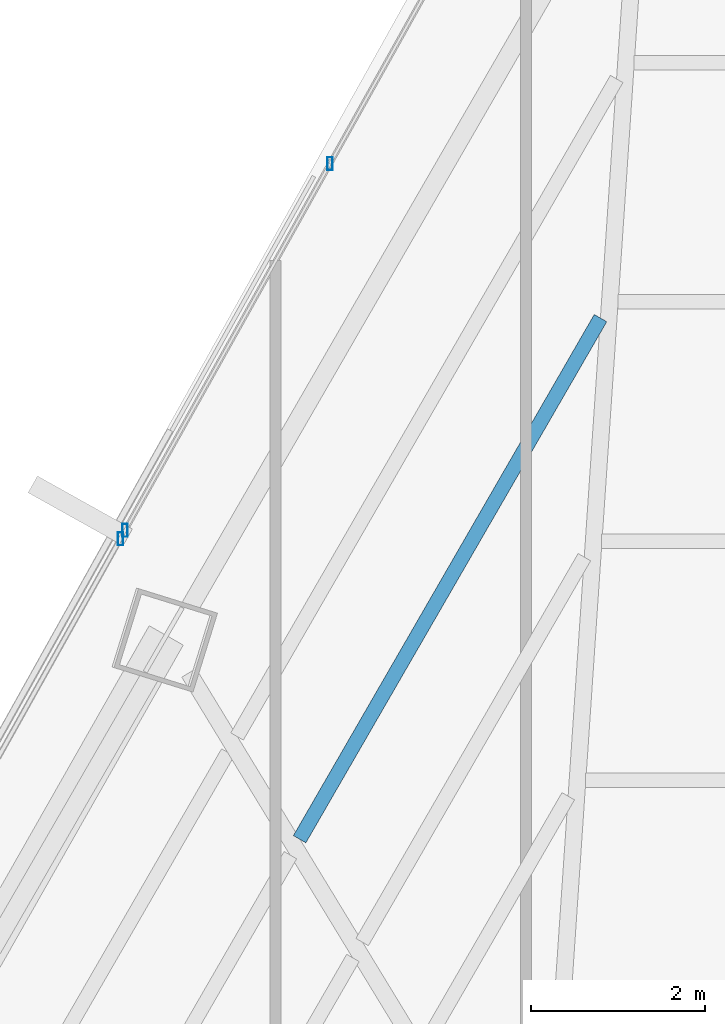
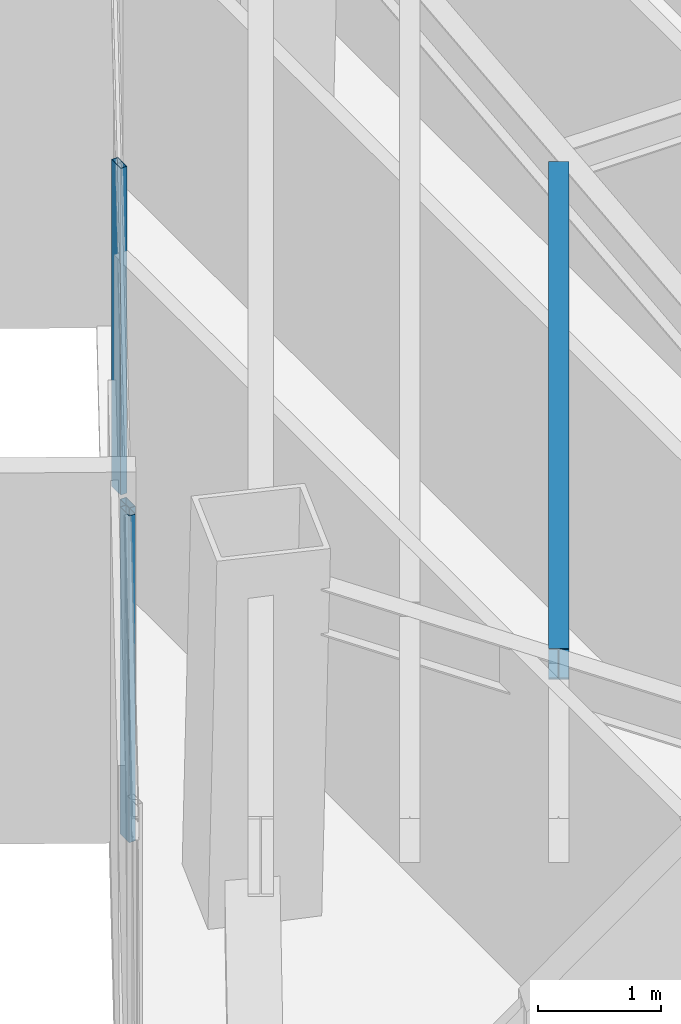
# One storey, part 26 of 40: 3 members, 1 beam, 2 elements without a shape of their own.
"""IFC4 building model written with IfcOpenShell, lengths in metres."""

import ifcopenshell
import ifcopenshell.guid

model = None  # the IFC model being written
_history = None  # IfcOwnerHistory: only IFC2X3 demands one
_inside = {}  # id of a spatial element -> (the spatial element, [elements in it])
_under = {}  # id of a project, library or spatial element -> (it, [spatial elements below it])
_declared = {}  # id of a project -> (the project, [libraries it declares])
_typed = {}  # id of a type object -> (the type object, [elements of that type])
_made_of = {}  # id of a material, layer set ... -> (it, [elements and type objects made of it])


def new_model(schema):
    """Start an empty IFC model of exactly this schema.

    Asked for "IFC4X3", IfcOpenShell would pick the latest addendum, in which some entities
    have other attributes; the version numbers below select the first issue.
    IFC2X3 requires an IfcOwnerHistory on every rooted entity: one is made here for all.
    """
    global model, _history
    if schema == "IFC4X3":
        model = ifcopenshell.file(schema_version=(4, 3, 0, 0))
    else:
        model = ifcopenshell.file(schema=schema)
    _inside.clear()
    _under.clear()
    _declared.clear()
    _typed.clear()
    _made_of.clear()
    _history = None
    if model.schema == "IFC2X3":
        org = make("IfcOrganization", Name="unknown")
        user = make(
            "IfcPersonAndOrganization",
            ThePerson=make("IfcPerson", FamilyName="unknown"),
            TheOrganization=org,
        )
        app = make(
            "IfcApplication",
            ApplicationDeveloper=org,
            Version="unknown",
            ApplicationFullName="unknown",
            ApplicationIdentifier="unknown",
        )
        _history = make(
            "IfcOwnerHistory",
            OwningUser=user,
            OwningApplication=app,
            ChangeAction="ADDED",
            CreationDate=0,
        )
    return model


def make(cls, **values):
    """One entity of the class cls with the attributes given. An attribute that is None is left unset."""
    return model.create_entity(
        cls, **{name: value for name, value in values.items() if value is not None}
    )


def rooted(cls, **values):
    """An entity with a GlobalId (a new one), such as an element, a storey or a relation."""
    return make(cls, GlobalId=ifcopenshell.guid.new(), OwnerHistory=_history, **values)


def si_unit(unit_type, name, prefix=None):
    """IfcSIUnit, for example si_unit("LENGTHUNIT", "METRE", prefix="MILLI")."""
    return make("IfcSIUnit", UnitType=unit_type, Prefix=prefix, Name=name)


def assignment(units):
    """IfcUnitAssignment: the units of a project."""
    return None if units is None else make("IfcUnitAssignment", Units=units)


def point(xyz):
    """IfcCartesianPoint."""
    return None if xyz is None else make("IfcCartesianPoint", Coordinates=xyz)


def direction(xyz):
    """IfcDirection."""
    return None if xyz is None else make("IfcDirection", DirectionRatios=xyz)


def frame(location, z_axis=None, x_axis=None):
    """IfcAxis2Placement3D, a coordinate frame: its origin and axes. An axis left out is left unset."""
    return make(
        "IfcAxis2Placement3D",
        Location=point(location),
        Axis=direction(z_axis),
        RefDirection=direction(x_axis),
    )


def frame_2d(location, x_axis=None):
    """IfcAxis2Placement2D, a coordinate frame in the plane: its origin and x axis."""
    return make(
        "IfcAxis2Placement2D", Location=point(location), RefDirection=direction(x_axis)
    )


def origin():
    """The frame at (0, 0, 0) with its axes left unset."""
    return frame((0.0, 0.0, 0.0))


def origin_2d():
    """The frame at (0, 0) in the plane with its x axis left unset."""
    return frame_2d((0.0, 0.0))


def place(relative_to, where):
    """IfcLocalPlacement: puts the frame where relative to a parent placement (None: the world)."""
    return make(
        "IfcLocalPlacement", PlacementRelTo=relative_to, RelativePlacement=where
    )


def context(
    kind, dimensions, precision=None, world=None, true_north=None, identifier=None
):
    """IfcGeometricRepresentationContext, for example the 3D "Model" context."""
    return make(
        "IfcGeometricRepresentationContext",
        ContextIdentifier=identifier,
        ContextType=kind,
        CoordinateSpaceDimension=dimensions,
        Precision=precision,
        WorldCoordinateSystem=world,
        TrueNorth=true_north,
    )


def subcontext(parent, identifier, kind, view, scale=None):
    """IfcGeometricRepresentationSubContext, for example "Body" below "Model"."""
    return make(
        "IfcGeometricRepresentationSubContext",
        ContextIdentifier=identifier,
        ContextType=kind,
        ParentContext=parent,
        TargetScale=scale,
        TargetView=view,
    )


def project(units=None, contexts=None):
    """IfcProject with its units and contexts."""
    return rooted(
        "IfcProject",
        Name="project",
        RepresentationContexts=contexts,
        UnitsInContext=assignment(units),
    )


def spatial(cls, under=None, at=None, **own):
    """A site, building, storey or space (cls), placed at a placement, below another one or the project."""
    s = rooted(cls, ObjectPlacement=at, **own)
    if under is not None:
        _under.setdefault(under.id(), (under, []))[1].append(s)
    return s


def profile(cls, at=None, kind="AREA", **sizes):
    """A parametric profile (cls). Its sizes go by their IFC names, for example OverallWidth=200.0."""
    return make(cls, ProfileType=kind, Position=at, **sizes)


def hollow_rectangle(**sizes):
    """IfcRectangleHollowProfileDef."""
    return profile("IfcRectangleHollowProfileDef", **sizes)


def i_section(**sizes):
    """IfcIShapeProfileDef."""
    return profile("IfcIShapeProfileDef", **sizes)


def extrude(swept, where, along, depth):
    """IfcExtrudedAreaSolid: the profile swept, set in the frame where, extruded along a direction by depth."""
    return make(
        "IfcExtrudedAreaSolid",
        SweptArea=swept,
        Position=where,
        ExtrudedDirection=direction(along),
        Depth=depth,
    )


def shape(context_of_items, identifier, shape_type, items):
    """IfcShapeRepresentation: the items that make up one representation, for example the "Body"."""
    return make(
        "IfcShapeRepresentation",
        ContextOfItems=context_of_items,
        RepresentationIdentifier=identifier,
        RepresentationType=shape_type,
        Items=items,
    )


def source(mapping_origin, context_of_items, identifier, shape_type, items):
    """IfcRepresentationMap: a shape defined once, which mapped items show again and again."""
    return make(
        "IfcRepresentationMap",
        MappingOrigin=mapping_origin,
        MappedRepresentation=shape(context_of_items, identifier, shape_type, items),
    )


def transform(
    local_origin,
    x_axis=None,
    y_axis=None,
    z_axis=None,
    scale=None,
    scale2=None,
    scale3=None,
    uniform=True,
):
    """IfcCartesianTransformationOperator3D, or its non-uniform kind. x_axis, y_axis, z_axis: its Axis1, 2, 3."""
    if uniform:
        return make(
            "IfcCartesianTransformationOperator3D",
            Axis1=direction(x_axis),
            Axis2=direction(y_axis),
            LocalOrigin=point(local_origin),
            Scale=scale,
            Axis3=direction(z_axis),
        )
    return make(
        "IfcCartesianTransformationOperator3DnonUniform",
        Axis1=direction(x_axis),
        Axis2=direction(y_axis),
        LocalOrigin=point(local_origin),
        Scale=scale,
        Axis3=direction(z_axis),
        Scale2=scale2,
        Scale3=scale3,
    )


def mapped(mapping_source, mapping_target):
    """IfcMappedItem: shows the shape of a source again, moved by a transform."""
    return make(
        "IfcMappedItem", MappingSource=mapping_source, MappingTarget=mapping_target
    )


def material(Name=None, Category=None):
    """IfcMaterial."""
    return make("IfcMaterial", Name=Name, Category=Category)


def material_profile(
    of_material, cross_section, Name=None, Category=None, Priority=None
):
    """IfcMaterialProfile: a cross section and its material."""
    return make(
        "IfcMaterialProfile",
        Name=Name,
        Material=of_material,
        Profile=cross_section,
        Priority=Priority,
        Category=Category,
    )


def profile_set(profiles, Name=None, composite=None):
    """IfcMaterialProfileSet."""
    return make(
        "IfcMaterialProfileSet",
        Name=Name,
        MaterialProfiles=profiles,
        CompositeProfile=composite,
    )


def made_of(thing, what):
    """Note that an element or type object is made of a material, layer set ...; save() writes the relation."""
    if what is not None:
        _made_of.setdefault(what.id(), (what, []))[1].append(thing)
    return thing


def type_object(cls, material=None, **own):
    """A type object (cls), such as IfcWallType, which elements share."""
    return made_of(rooted(cls, **own), material)


def type_shapes(of_type, sources):
    """Give a type object the sources (RepresentationMaps) that its elements show as mapped items."""
    of_type.RepresentationMaps = sources


def element(
    cls,
    number,
    at=None,
    inside=None,
    cuts=None,
    type_object=None,
    material=None,
    context=None,
    identifier="Body",
    shape_type=None,
    held_by="IfcProductDefinitionShape",
    body=None,
    shapes=None,
    **own,
):
    """One element of the class cls, such as IfcWall. Its Tag is "e" and its number.

    at: its placement. inside: the storey or other place that contains it. cuts: it is an
    opening in that element (IfcRelVoidsElement). A single representation is given by context,
    identifier, shape_type and body (its items); several are given by shapes. held_by: the class
    of the entity that holds the representations. save() writes the other relations.
    """
    e = rooted(cls, Tag="e%d" % number, ObjectPlacement=at, **own)
    if body is not None:
        shapes = [shape(context, identifier, shape_type, body)]
    if shapes is not None:
        e.Representation = make(held_by, Representations=shapes)
    if inside is not None:
        _inside.setdefault(inside.id(), (inside, []))[1].append(e)
    if cuts is not None:
        rooted(
            "IfcRelVoidsElement", RelatingBuildingElement=cuts, RelatedOpeningElement=e
        )
    if type_object is not None:
        _typed.setdefault(type_object.id(), (type_object, []))[1].append(e)
    return made_of(e, material)


def aggregate(whole, parts):
    """IfcRelAggregates: a whole, such as a stair, and the parts it consists of."""
    return rooted("IfcRelAggregates", RelatingObject=whole, RelatedObjects=parts)


def save(model, path):
    """Write the relations noted so far, then the file.

    IfcRelAggregates (storeys below a building ...), IfcRelContainedInSpatialStructure (elements
    in a storey), IfcRelDefinesByType, IfcRelAssociatesMaterial and IfcRelDeclares: one each for
    every whole, place, type object, material and project.
    """
    for whole, parts in _under.values():
        aggregate(whole, parts)
    for where, things in _inside.values():
        rooted(
            "IfcRelContainedInSpatialStructure",
            RelatedElements=things,
            RelatingStructure=where,
        )
    for kind, things in _typed.values():
        rooted("IfcRelDefinesByType", RelatedObjects=things, RelatingType=kind)
    for what, things in _made_of.values():
        rooted("IfcRelAssociatesMaterial", RelatedObjects=things, RelatingMaterial=what)
    for by, libraries in _declared.values():
        rooted("IfcRelDeclares", RelatingContext=by, RelatedDefinitions=libraries)
    model.write(path)


model = new_model("IFC4")

# Units and contexts
model_context = context("Model", 3, precision=1e-05, world=origin(), true_north=direction((0.0, 1.0)))
body_context = subcontext(model_context, "Body", "Model", "MODEL_VIEW")
ifc_project = project(units=[si_unit("LENGTHUNIT", "METRE"), si_unit("AREAUNIT", "SQUARE_METRE"), si_unit("VOLUMEUNIT", "CUBIC_METRE"), si_unit("PLANEANGLEUNIT", "RADIAN"), si_unit("MASSUNIT", "GRAM", prefix="KILO")], contexts=[model_context])

# Site, building, storey
site_placement = place(None, origin())
site = spatial("IfcSite", under=ifc_project, at=site_placement, CompositionType="ELEMENT")
building_placement = place(site_placement, origin())
building = spatial("IfcBuilding", under=site, at=building_placement, Name="Caelisora Broadcast Tower", CompositionType="ELEMENT")
storey_placement = place(building_placement, frame((0.0, 0.0, 146.39990234375)))
storey = spatial("IfcBuildingStorey", under=building, at=storey_placement, Name="L38", CompositionType="ELEMENT", Elevation=146.39990234375)

# Beam
ifc_material_1 = material(Name="Steel Grade 350 (AS/NZS 3679.1)", Category="steel")
ifc_material_profile_1 = material_profile(ifc_material_1, i_section(OverallWidth=0.166015625, OverallDepth=0.30712890625, WebThickness=0.006591796875, FlangeThickness=0.01171875, at=origin_2d()), Name="Steel Grade 350 (AS/NZS 3679.1)")
ifc_profile_set_1 = profile_set([ifc_material_profile_1], Name="Steel Grade 350 (AS/NZS 3679.1)")
beam_type = type_object("IfcBeamType", Name="SB03", PredefinedType="JOIST", material=ifc_profile_set_1)
shared_shape_1 = source(origin(), body_context, "Body", "SweptSolid", [
    extrude(i_section(OverallWidth=0.166015625, OverallDepth=0.30712890625, WebThickness=0.006591796875, FlangeThickness=0.01171875, at=origin_2d()), origin(), (0.0, 0.0, 1.0), 6.91650390625),
])
type_shapes(beam_type, [shared_shape_1])
beam_placement = place(storey_placement, frame((31.135498046875, 40.806396484375, 3.096435546875), z_axis=(-0.500007637647, -0.866020994142, 0.0), x_axis=(0.866020994142, -0.500007637647, 0.0)))
element("IfcBeam", 1, at=beam_placement, inside=storey, type_object=beam_type, Name="L38 beam SB03", PredefinedType="JOIST", context=body_context, shape_type="MappedRepresentation", body=[
    mapped(shared_shape_1, transform((0.0, 0.0, 0.0), scale=1.0)),
])

# Curtain wall, member
ifc_material_2 = material(Name="Unitised Aluminium Insulated Shadow-Box Spandrel Curtain Wall", Category="aluminium")
curtain_wall_type_1 = type_object("IfcCurtainWallType", Name="CW-SP2", PredefinedType="NOTDEFINED", material=ifc_material_2)
curtain_wall_1_placement = place(storey_placement, origin())
curtain_wall_1 = element("IfcCurtainWall", 2, at=curtain_wall_1_placement, inside=storey, type_object=curtain_wall_type_1, Name="L38 curtain wall CW-SP2", PredefinedType="NOTDEFINED")
ifc_material_3 = material(Name="Aluminium 6063-T6 Anodised Terracotta Bronze", Category="aluminium")
ifc_material_profile_2 = material_profile(ifc_material_3, hollow_rectangle(XDim=0.06005859375, YDim=0.14990234375, WallThickness=0.00341796875, at=origin_2d()), Name="Aluminium 6063-T6 Anodised Terracotta Bronze")
ifc_profile_set_2 = profile_set([ifc_material_profile_2], Name="Aluminium 6063-T6 Anodised Terracotta Bronze")
member_type = type_object("IfcMemberType", Name="CWM-03", PredefinedType="MULLION", material=ifc_profile_set_2)
shared_shape_2 = source(origin(), body_context, "Body", "SweptSolid", [
    extrude(hollow_rectangle(XDim=0.06005859375, YDim=0.14990234375, WallThickness=0.00341796875, at=origin_2d()), origin(), (0.0, 0.0, 1.0), 3.25),
])
type_shapes(member_type, [shared_shape_2])
member_1_placement = place(storey_placement, frame((25.617431640625, 38.26953125, 0.0), z_axis=(0.0, 0.0, 1.0), x_axis=(1.0, 0.0, 0.0)))
member_1 = element("IfcMember", 3, at=member_1_placement, type_object=member_type, Name="L38-CW-B10 mullion #3", PredefinedType="MULLION", context=body_context, shape_type="MappedRepresentation", body=[
    mapped(shared_shape_2, transform((0.0, 0.0, 0.0), scale=1.0)),
])
aggregate(curtain_wall_1, [member_1])

# Curtain wall, members
ifc_material_4 = material(Name="Unitised Aluminium and Low-E Glass Curtain Wall", Category="glass")
curtain_wall_type_2 = type_object("IfcCurtainWallType", Name="CW-Z3", PredefinedType="NOTDEFINED", material=ifc_material_4)
curtain_wall_2_placement = place(storey_placement, origin())
curtain_wall_2 = element("IfcCurtainWall", 4, at=curtain_wall_2_placement, inside=storey, type_object=curtain_wall_type_2, Name="L38 curtain wall CW-Z3", PredefinedType="NOTDEFINED")
member_2_placement = place(storey_placement, frame((25.671142578125, 38.36572265625, 0.0), z_axis=(0.0, 0.0, 1.0), x_axis=(1.0, 0.0, 0.0)))
member_2 = element("IfcMember", 5, at=member_2_placement, type_object=member_type, Name="L38-CW-B11 mullion #0", PredefinedType="MULLION", context=body_context, shape_type="MappedRepresentation", body=[
    mapped(shared_shape_2, transform((0.0, 0.0, 0.0), scale=1.0)),
])
member_3_placement = place(storey_placement, frame((28.026611328125, 42.581298828125, 0.0), z_axis=(0.0, 0.0, 1.0), x_axis=(1.0, 0.0, 0.0)))
member_3 = element("IfcMember", 6, at=member_3_placement, type_object=member_type, Name="L38-CW-B11 mullion #1", PredefinedType="MULLION", context=body_context, shape_type="MappedRepresentation", body=[
    mapped(shared_shape_2, transform((0.0, 0.0, 0.0), scale=1.0)),
])
aggregate(curtain_wall_2, [member_2, member_3])

save(model, "model.ifc")
